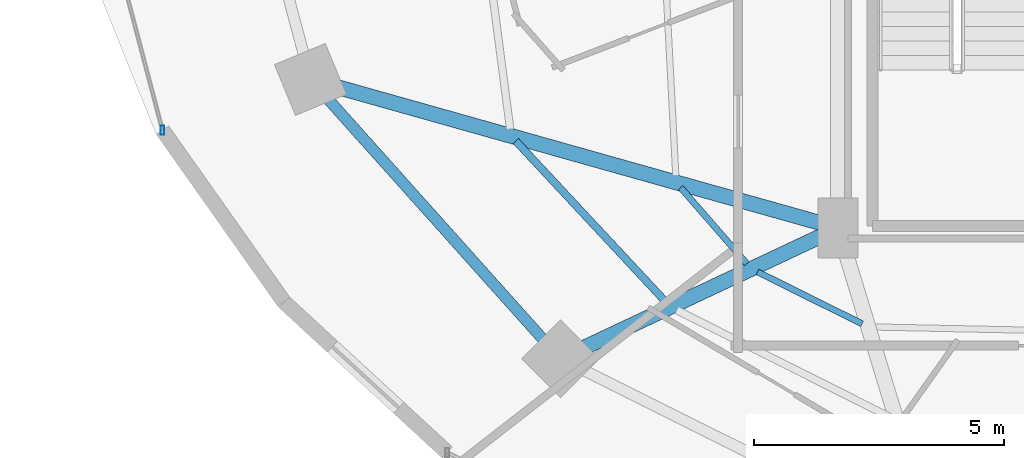
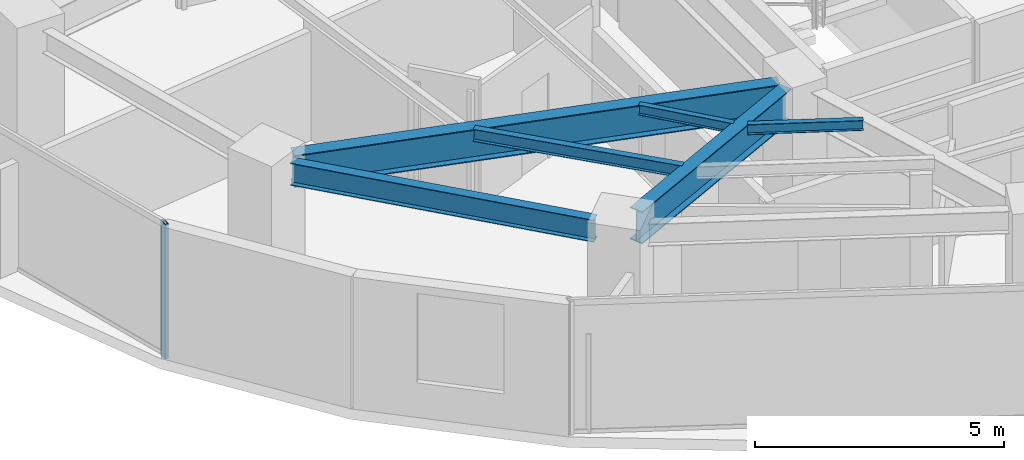
# One storey, part 3 of 30: 6 beams, 1 member, 1 element without a shape of its own.
"""IFC4 building model written with IfcOpenShell, lengths in metres."""

from ifc_helpers import new_model, si_unit, direction, frame, origin, origin_2d, place, context, subcontext, project, spatial, hollow_rectangle, i_section, extrude, material, material_profile, profile_set, type_object, element, aggregate, save


model = new_model("IFC4")

# Units and contexts
model_context = context("Model", 3, precision=1e-05, world=origin(), true_north=direction((0.0, 1.0)))
body_context = subcontext(model_context, "Body", "Model", "MODEL_VIEW")
ifc_project = project(units=[si_unit("LENGTHUNIT", "METRE"), si_unit("AREAUNIT", "SQUARE_METRE"), si_unit("VOLUMEUNIT", "CUBIC_METRE"), si_unit("PLANEANGLEUNIT", "RADIAN"), si_unit("MASSUNIT", "GRAM", prefix="KILO")], contexts=[model_context])

# Site, building, storey
site_placement = place(None, origin())
site = spatial("IfcSite", under=ifc_project, at=site_placement, CompositionType="ELEMENT")
building_placement = place(site_placement, origin())
building = spatial("IfcBuilding", under=site, at=building_placement, Name="Vorneva Point Tower", CompositionType="ELEMENT")
storey_placement = place(building_placement, frame((0.0, 0.0, 89.300048828125)))
storey = spatial("IfcBuildingStorey", under=building, at=storey_placement, Name="L23", CompositionType="ELEMENT", Elevation=89.300048828125)

# Beams
ifc_material_1 = material(Name="Steel S355", Category="steel")
ifc_material_profile_1 = material_profile(ifc_material_1, i_section(OverallWidth=0.300048828125, OverallDepth=0.7880859375, WebThickness=0.014404296875, FlangeThickness=0.02197265625, at=origin_2d()), Name="80Sh1")
ifc_profile_set_1 = profile_set([ifc_material_profile_1], Name="Steel S355")
beam_type_1 = type_object("IfcBeamType", Name="BM-GRD-80Sh1", PredefinedType="USERDEFINED", material=ifc_profile_set_1)
beam_1_placement = place(storey_placement, frame((17.222412109375, 19.272216796875, 2.845947265625), z_axis=(0.962598038366, -0.270933601708, 0.0), x_axis=(0.270933601708, 0.962598038366, 0.0)))
element("IfcBeam", 1, at=beam_1_placement, inside=storey, type_object=beam_type_1, Name="L23 Radial Primary Girder 10", ObjectType="GIRDER", PredefinedType="USERDEFINED", context=body_context, shape_type="SweptSolid", body=[
    extrude(i_section(OverallWidth=0.300048828125, OverallDepth=0.7880859375, WebThickness=0.014404296875, FlangeThickness=0.02197265625, at=origin_2d()), origin(), (0.0, 0.0, 1.0), 10.0771484375),
])
beam_2_placement = place(storey_placement, frame((22.18798828125, 14.06689453125, 2.845947265625), z_axis=(0.904751304927, 0.425940226126, 0.0), x_axis=(-0.425940226126, 0.904751304927, 0.0)))
element("IfcBeam", 2, at=beam_2_placement, inside=storey, type_object=beam_type_1, Name="L23 Radial Primary Girder 11", ObjectType="GIRDER", PredefinedType="USERDEFINED", context=body_context, shape_type="SweptSolid", body=[
    extrude(i_section(OverallWidth=0.300048828125, OverallDepth=0.7880859375, WebThickness=0.014404296875, FlangeThickness=0.02197265625, at=origin_2d()), origin(), (0.0, 0.0, 1.0), 5.2548828125),
])
ifc_material_profile_2 = material_profile(ifc_material_1, i_section(OverallWidth=0.1240234375, OverallDepth=0.248046875, WebThickness=0.0048828125, FlangeThickness=0.008056640625, at=origin_2d()), Name="25B1")
ifc_profile_set_2 = profile_set([ifc_material_profile_2], Name="Steel S355")
beam_type_2 = type_object("IfcBeamType", Name="BM-JST-25B1", PredefinedType="JOIST", material=ifc_profile_set_2)
beam_3_placement = place(storey_placement, frame((24.103271484375, 17.257080078125, 3.115966796875), z_axis=(0.656502765407, -0.7543236169, 0.0), x_axis=(0.7543236169, 0.656502765407, 0.0)))
element("IfcBeam", 3, at=beam_3_placement, inside=storey, type_object=beam_type_2, Name="L23 Secondary Floor Beam 2.10", PredefinedType="JOIST", context=body_context, shape_type="SweptSolid", body=[
    extrude(i_section(OverallWidth=0.1240234375, OverallDepth=0.248046875, WebThickness=0.0048828125, FlangeThickness=0.008056640625, at=origin_2d()), origin(), (0.0, 0.0, 1.0), 2.01416015625),
])
beam_4_placement = place(storey_placement, frame((25.6396484375, 15.572509765625, 3.115966796875), z_axis=(0.89565974577, -0.444739946268, 0.0), x_axis=(0.444739946268, 0.89565974577, 0.0)))
element("IfcBeam", 4, at=beam_4_placement, inside=storey, type_object=beam_type_2, Name="L23 Secondary Floor Beam 2.11", PredefinedType="JOIST", context=body_context, shape_type="SweptSolid", body=[
    extrude(i_section(OverallWidth=0.1240234375, OverallDepth=0.248046875, WebThickness=0.0048828125, FlangeThickness=0.008056640625, at=origin_2d()), origin(), (0.0, 0.0, 1.0), 2.330810546875),
])
ifc_material_profile_3 = material_profile(ifc_material_1, i_section(OverallWidth=0.14892578125, OverallDepth=0.298095703125, WebThickness=0.005615234375, FlangeThickness=0.008056640625, at=origin_2d()), Name="30B1")
ifc_profile_set_3 = profile_set([ifc_material_profile_3], Name="Steel S355")
beam_type_3 = type_object("IfcBeamType", Name="BM-JST-30B1", PredefinedType="JOIST", material=ifc_profile_set_3)
beam_5_placement = place(storey_placement, frame((20.80859375, 18.1884765625, 3.091064453125), z_axis=(0.681868844323, -0.731474455564, 0.0), x_axis=(0.731474455564, 0.681868844323, 0.0)))
element("IfcBeam", 5, at=beam_5_placement, inside=storey, type_object=beam_type_3, Name="L23 Secondary Floor Beam 1.10", PredefinedType="JOIST", context=body_context, shape_type="SweptSolid", body=[
    extrude(i_section(OverallWidth=0.14892578125, OverallDepth=0.298095703125, WebThickness=0.005615234375, FlangeThickness=0.008056640625, at=origin_2d()), origin(), (0.0, 0.0, 1.0), 4.39501953125),
])
ifc_material_profile_4 = material_profile(ifc_material_1, i_section(OverallWidth=0.219970703125, OverallDepth=0.54296875, WebThickness=0.009521484375, FlangeThickness=0.013427734375, at=origin_2d()), Name="55B1")
ifc_profile_set_4 = profile_set([ifc_material_profile_4], Name="Steel S355")
beam_type_4 = type_object("IfcBeamType", Name="BM-SPN-55B1", PredefinedType="SPANDREL", material=ifc_profile_set_4)
beam_6_placement = place(storey_placement, frame((17.0615234375, 19.019287109375, 2.968505859375), z_axis=(0.667073815664, -0.744991627105, 0.0), x_axis=(0.744991627105, 0.667073815664, 0.0)))
element("IfcBeam", 6, at=beam_6_placement, inside=storey, type_object=beam_type_4, Name="L23 Perimeter Spandrel Ring Beam 10", PredefinedType="SPANDREL", context=body_context, shape_type="SweptSolid", body=[
    extrude(i_section(OverallWidth=0.219970703125, OverallDepth=0.54296875, WebThickness=0.009521484375, FlangeThickness=0.013427734375, at=origin_2d()), origin(), (0.0, 0.0, 1.0), 6.420166015625),
])

# Curtain wall, member
ifc_material_2 = material(Name="Pale anodised aluminium", Category="aluminium")
curtain_wall_type = type_object("IfcCurtainWallType", Name="CW-HTL-SYS", PredefinedType="NOTDEFINED", material=ifc_material_2)
curtain_wall_placement = place(storey_placement, origin())
curtain_wall = element("IfcCurtainWall", 7, at=curtain_wall_placement, inside=storey, type_object=curtain_wall_type, Name="L23 Unitised Curtain Wall CW-L23-R03", PredefinedType="NOTDEFINED")
ifc_material_profile_5 = material_profile(ifc_material_2, hollow_rectangle(XDim=0.074951171875, YDim=0.179931640625, WallThickness=0.00390625, at=origin_2d()), Name="AL-MUL 180x75x4")
ifc_profile_set_5 = profile_set([ifc_material_profile_5], Name="Pale anodised aluminium")
member_type = type_object("IfcMemberType", Name="CW-MUL-180", PredefinedType="MULLION", material=ifc_profile_set_5)
member_placement = place(storey_placement, frame((13.748291015625, 18.40380859375, -0.0400390625), z_axis=(0.0, 0.0, 1.0), x_axis=(1.0, 0.0, 0.0)))
member = element("IfcMember", 8, at=member_placement, type_object=member_type, Name="CW-L23-R03 Mullion 03", PredefinedType="MULLION", context=body_context, shape_type="SweptSolid", body=[
    extrude(hollow_rectangle(XDim=0.074951171875, YDim=0.179931640625, WallThickness=0.00390625, at=origin_2d()), origin(), (0.0, 0.0, 1.0), 3.31005859375),
])
aggregate(curtain_wall, [member])

save(model, "model.ifc")
